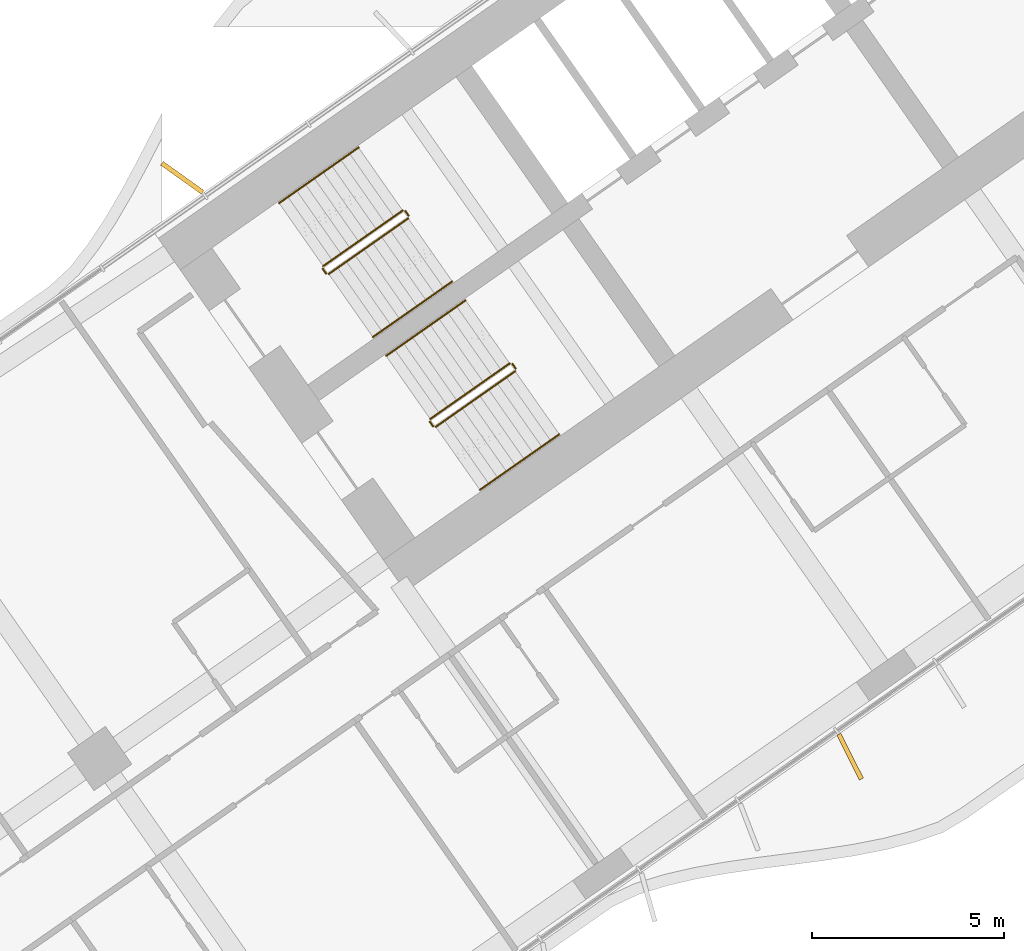
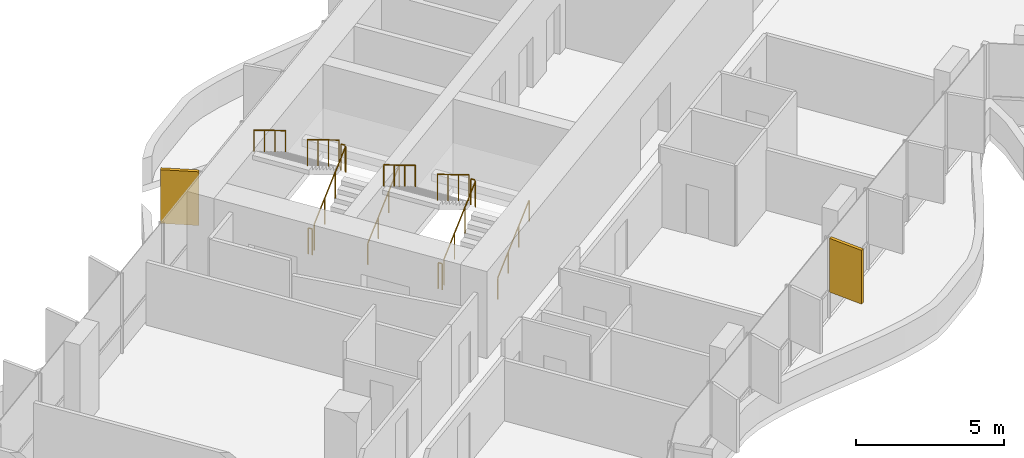
# One storey, part 19 of 23: 12 railings, 2 shading devices.
"""IFC4 building model written with IfcOpenShell, lengths in metres."""

from ifc_helpers import new_model, si_unit, direction, frame, origin, origin_2d, place, context, subcontext, project, spatial, rectangle, circle, extrude, material, layer, layer_set, type_object, element, save


model = new_model("IFC4")

# Units and contexts
model_context = context("Model", 3, precision=1e-05, world=origin(), true_north=direction((0.0, 1.0)))
body_context = subcontext(model_context, "Body", "Model", "MODEL_VIEW")
ifc_project = project(units=[si_unit("LENGTHUNIT", "METRE"), si_unit("AREAUNIT", "SQUARE_METRE"), si_unit("VOLUMEUNIT", "CUBIC_METRE"), si_unit("PLANEANGLEUNIT", "RADIAN"), si_unit("MASSUNIT", "GRAM", prefix="KILO")], contexts=[model_context])

# Site, building, storey
site_placement = place(None, origin())
site = spatial("IfcSite", under=ifc_project, at=site_placement, CompositionType="ELEMENT")
building_placement = place(site_placement, origin())
building = spatial("IfcBuilding", under=site, at=building_placement, Name="Tel Ilan Convention Tower", CompositionType="ELEMENT")
storey_placement = place(building_placement, frame((0.0, 0.0, 86.89990234375)))
storey = spatial("IfcBuildingStorey", under=building, at=storey_placement, Name="L17", CompositionType="ELEMENT", Elevation=86.89990234375)

# Shading devices
ifc_material_1 = material(Name="Aluminium, bronze anodised", Category="aluminium")
ifc_layer = layer(ifc_material_1, 0.1201171875)
ifc_layer_set = layer_set([ifc_layer], Name="FIN BRONZE 1300x120")
shading_device_type = type_object("IfcShadingDeviceType", Name="FIN BRONZE 1300x120", PredefinedType="USERDEFINED", material=ifc_layer_set)
for number, where, z_axis, x_axis, name in (
    (1, (-27.3427734375, -5.555419921875, 1.10009765625), (0.0, 0.0, 1.0), (-0.813552070258, 0.581492071294, 0.0), "FIN"),
    (2, (-9.9833984375, -20.603759765625, 1.10009765625), (0.0, 0.0, 1.0), (0.448799180206, -0.893632640321, 0.0), "FIN"),
):
    element("IfcShadingDevice", number, at=place(storey_placement, frame(where, z_axis=z_axis, x_axis=x_axis)), inside=storey, type_object=shading_device_type, Name=name, ObjectType="FIN", PredefinedType="USERDEFINED", context=body_context, shape_type="SweptSolid", body=[
        extrude(rectangle(XDim=1.300048828125, YDim=0.1201171875, at=origin_2d()), origin(), (0.0, 0.0, 1.0), 2.219970703125),
    ])

# Railings
ifc_material_2 = material(Name="Stainless Steel Grade 316", Category="steel")
railing_type_1 = type_object("IfcRailingType", Name="Stainless Steel Stair Guard 1100 mm", PredefinedType="GUARDRAIL", material=ifc_material_2)
railing_1_placement = place(storey_placement, frame((-23.535400390625, -8.056396484375, 0.18017578125)))
element("IfcRailing", 3, at=railing_1_placement, inside=storey, type_object=railing_type_1, Name="L17 S1 stair guard 1", PredefinedType="GUARDRAIL", context=body_context, shape_type="SweptSolid", body=[
    extrude(circle(Radius=0.02392578125, at=origin_2d()), frame((0.0, 0.0, 1.076171875), z_axis=(0.689043377453, 0.48253410265, 0.540721798865), x_axis=(-0.573624882958, 0.819118119475, 0.0)), (0.0, 0.0, 1.0), 2.995849609375),
    extrude(circle(Radius=0.02099609375, at=origin_2d()), origin(), (0.0, 0.0, 1.0), 1.052001953125),
    extrude(circle(Radius=0.02099609375, at=origin_2d()), frame((0.68798828125, 0.48193359375, 0.5400390625)), (0.0, 0.0, 1.0), 1.052001953125),
    extrude(circle(Radius=0.02099609375, at=origin_2d()), frame((1.376220703125, 0.963623046875, 1.079833984375)), (0.0, 0.0, 1.0), 1.052001953125),
    extrude(circle(Radius=0.02099609375, at=origin_2d()), frame((2.064208984375, 1.445556640625, 1.619873046875)), (0.0, 0.0, 1.0), 1.052001953125),
])
railing_2_placement = place(storey_placement, frame((-21.458984375, -6.541259765625, 1.800048828125)))
element("IfcRailing", 4, at=railing_2_placement, inside=storey, type_object=railing_type_1, Name="L17 S1 stair guard 2", PredefinedType="GUARDRAIL", context=body_context, shape_type="SweptSolid", body=[
    extrude(circle(Radius=0.02392578125, at=origin_2d()), frame((0.0, 0.0, 1.076171875), z_axis=(-0.573353020881, 0.819308436089, 0.0), x_axis=(-0.819308436089, -0.573353020881, 0.0)), (0.0, 0.0, 1.0), 0.14990234375),
    extrude(circle(Radius=0.02099609375, at=origin_2d()), origin(), (0.0, 0.0, 1.0), 1.052001953125),
    extrude(circle(Radius=0.02099609375, at=origin_2d()), frame((-0.0859375, 0.122802734375, 0.0)), (0.0, 0.0, 1.0), 1.052001953125),
])
railing_3_placement = place(storey_placement, frame((-21.614501953125, -6.406005859375, 1.97998046875)))
element("IfcRailing", 5, at=railing_3_placement, inside=storey, type_object=railing_type_1, Name="L17 S1 stair guard 3", PredefinedType="GUARDRAIL", context=body_context, shape_type="SweptSolid", body=[
    extrude(circle(Radius=0.02392578125, at=origin_2d()), frame((0.0, 0.0, 1.076171875), z_axis=(-0.689013013563, -0.482512838948, 0.540779462804), x_axis=(0.573624882958, -0.819118119475, 0.0)), (0.0, 0.0, 1.0), 2.995849609375),
    extrude(circle(Radius=0.02099609375, at=origin_2d()), origin(), (0.0, 0.0, 1.0), 1.052001953125),
    extrude(circle(Radius=0.02099609375, at=origin_2d()), frame((-0.68798828125, -0.48193359375, 0.5400390625)), (0.0, 0.0, 1.0), 1.052001953125),
    extrude(circle(Radius=0.02099609375, at=origin_2d()), frame((-1.376220703125, -0.963623046875, 1.080078125)), (0.0, 0.0, 1.0), 1.052001953125),
    extrude(circle(Radius=0.02099609375, at=origin_2d()), frame((-2.064208984375, -1.445556640625, 1.6201171875)), (0.0, 0.0, 1.0), 1.052001953125),
])
railing_4_placement = place(storey_placement, frame((-23.60498046875, -8.0439453125, 0.0)))
element("IfcRailing", 6, at=railing_4_placement, inside=storey, type_object=railing_type_1, Name="L17 S1 stair guard 4", PredefinedType="GUARDRAIL", context=body_context, shape_type="SweptSolid", body=[
    extrude(circle(Radius=0.02392578125, at=origin_2d()), frame((0.0, 0.0, 1.076171875), z_axis=(-0.574444878118, 0.818543268254, 0.0), x_axis=(-0.818543268254, -0.574444878118, 0.0)), (0.0, 0.0, 1.0), 0.150146484375),
    extrude(circle(Radius=0.02099609375, at=origin_2d()), origin(), (0.0, 0.0, 1.0), 1.052001953125),
    extrude(circle(Radius=0.02099609375, at=origin_2d()), frame((-0.086181640625, 0.122802734375, 0.0)), (0.0, 0.0, 1.0), 1.052001953125),
])
railing_5_placement = place(storey_placement, frame((-20.753662109375, -12.029296875, 0.18017578125)))
element("IfcRailing", 7, at=railing_5_placement, inside=storey, type_object=railing_type_1, Name="L17 S2 stair guard 1", PredefinedType="GUARDRAIL", context=body_context, shape_type="SweptSolid", body=[
    extrude(circle(Radius=0.02392578125, at=origin_2d()), frame((0.0, 0.0, 1.076171875), z_axis=(0.689086176785, 0.482507007183, 0.540691436018), x_axis=(-0.573579365141, 0.81914999352, 0.0)), (0.0, 0.0, 1.0), 2.995849609375),
    extrude(circle(Radius=0.02099609375, at=origin_2d()), origin(), (0.0, 0.0, 1.0), 1.052001953125),
    extrude(circle(Radius=0.02099609375, at=origin_2d()), frame((0.688232421875, 0.48193359375, 0.5400390625)), (0.0, 0.0, 1.0), 1.052001953125),
    extrude(circle(Radius=0.02099609375, at=origin_2d()), frame((1.376220703125, 0.963623046875, 1.079833984375)), (0.0, 0.0, 1.0), 1.052001953125),
    extrude(circle(Radius=0.02099609375, at=origin_2d()), frame((2.064453125, 1.445556640625, 1.619873046875)), (0.0, 0.0, 1.0), 1.052001953125),
])
railing_6_placement = place(storey_placement, frame((-18.677001953125, -10.51416015625, 1.800048828125)))
element("IfcRailing", 8, at=railing_6_placement, inside=storey, type_object=railing_type_1, Name="L17 S2 stair guard 2", PredefinedType="GUARDRAIL", context=body_context, shape_type="SweptSolid", body=[
    extrude(circle(Radius=0.02392578125, at=origin_2d()), frame((0.0, 0.0, 1.076171875), z_axis=(-0.573353020881, 0.819308436089, 0.0), x_axis=(-0.819308436089, -0.573353020881, 0.0)), (0.0, 0.0, 1.0), 0.14990234375),
    extrude(circle(Radius=0.02099609375, at=origin_2d()), origin(), (0.0, 0.0, 1.0), 1.052001953125),
    extrude(circle(Radius=0.02099609375, at=origin_2d()), frame((-0.0859375, 0.122802734375, 0.0)), (0.0, 0.0, 1.0), 1.052001953125),
])
railing_7_placement = place(storey_placement, frame((-18.832763671875, -10.37890625, 1.97998046875)))
element("IfcRailing", 9, at=railing_7_placement, inside=storey, type_object=railing_type_1, Name="L17 S2 stair guard 3", PredefinedType="GUARDRAIL", context=body_context, shape_type="SweptSolid", body=[
    extrude(circle(Radius=0.02392578125, at=origin_2d()), frame((0.0, 0.0, 1.076171875), z_axis=(-0.689013013563, -0.482512838948, 0.540779462804), x_axis=(0.573624882958, -0.819118119475, 0.0)), (0.0, 0.0, 1.0), 2.995849609375),
    extrude(circle(Radius=0.02099609375, at=origin_2d()), origin(), (0.0, 0.0, 1.0), 1.052001953125),
    extrude(circle(Radius=0.02099609375, at=origin_2d()), frame((-0.68798828125, -0.48193359375, 0.5400390625)), (0.0, 0.0, 1.0), 1.052001953125),
    extrude(circle(Radius=0.02099609375, at=origin_2d()), frame((-1.376220703125, -0.963623046875, 1.080078125)), (0.0, 0.0, 1.0), 1.052001953125),
    extrude(circle(Radius=0.02099609375, at=origin_2d()), frame((-2.064208984375, -1.445556640625, 1.6201171875)), (0.0, 0.0, 1.0), 1.052001953125),
])
railing_8_placement = place(storey_placement, frame((-20.8232421875, -12.016845703125, 0.0)))
element("IfcRailing", 10, at=railing_8_placement, inside=storey, type_object=railing_type_1, Name="L17 S2 stair guard 4", PredefinedType="GUARDRAIL", context=body_context, shape_type="SweptSolid", body=[
    extrude(circle(Radius=0.02392578125, at=origin_2d()), frame((0.0, 0.0, 1.076171875), z_axis=(-0.573353020881, 0.819308436089, 0.0), x_axis=(-0.819308436089, -0.573353020881, 0.0)), (0.0, 0.0, 1.0), 0.14990234375),
    extrude(circle(Radius=0.02099609375, at=origin_2d()), origin(), (0.0, 0.0, 1.0), 1.052001953125),
    extrude(circle(Radius=0.02099609375, at=origin_2d()), frame((-0.0859375, 0.122802734375, 0.0)), (0.0, 0.0, 1.0), 1.052001953125),
])
ifc_material_3 = material(Name="Stainless Steel Grade 316", Category="steel")
railing_type_2 = type_object("IfcRailingType", Name="Stainless Steel Stair Handrail 900 mm", PredefinedType="HANDRAIL", material=ifc_material_3)
railing_9_placement = place(storey_placement, frame((-22.38818359375, -9.694580078125, 0.18017578125)))
element("IfcRailing", 11, at=railing_9_placement, inside=storey, type_object=railing_type_2, Name="L17 S1 stair handrail 1", PredefinedType="HANDRAIL", context=body_context, shape_type="SweptSolid", body=[
    extrude(circle(Radius=0.02392578125, at=origin_2d()), frame((0.0, 0.0, 0.8759765625), z_axis=(0.68907047291, 0.482471578903, 0.540743061828), x_axis=(-0.573559875649, 0.819163639968, 0.0)), (0.0, 0.0, 1.0), 2.99560546875),
    extrude(circle(Radius=0.02099609375, at=origin_2d()), origin(), (0.0, 0.0, 1.0), 0.851806640625),
    extrude(circle(Radius=0.02099609375, at=origin_2d()), frame((0.68798828125, 0.481689453125, 0.5400390625)), (0.0, 0.0, 1.0), 0.851806640625),
    extrude(circle(Radius=0.02099609375, at=origin_2d()), frame((1.376220703125, 0.963623046875, 1.079833984375)), (0.0, 0.0, 1.0), 0.851806640625),
    extrude(circle(Radius=0.02099609375, at=origin_2d()), frame((2.064208984375, 1.4453125, 1.619873046875)), (0.0, 0.0, 1.0), 0.851806640625),
])
railing_10_placement = place(storey_placement, frame((-22.76171875, -4.767822265625, 1.97998046875)))
element("IfcRailing", 12, at=railing_10_placement, inside=storey, type_object=railing_type_2, Name="L17 S1 stair handrail 2", PredefinedType="HANDRAIL", context=body_context, shape_type="SweptSolid", body=[
    extrude(circle(Radius=0.02392578125, at=origin_2d()), frame((0.0, 0.0, 0.8759765625), z_axis=(-0.689040105437, -0.482450316285, 0.54080072616), x_axis=(0.573559875649, -0.819163639968, 0.0)), (0.0, 0.0, 1.0), 2.995849609375),
    extrude(circle(Radius=0.02099609375, at=origin_2d()), origin(), (0.0, 0.0, 1.0), 0.851806640625),
    extrude(circle(Radius=0.02099609375, at=origin_2d()), frame((-0.68798828125, -0.481689453125, 0.5400390625)), (0.0, 0.0, 1.0), 0.851806640625),
    extrude(circle(Radius=0.02099609375, at=origin_2d()), frame((-1.376220703125, -0.963623046875, 1.080078125)), (0.0, 0.0, 1.0), 0.851806640625),
    extrude(circle(Radius=0.02099609375, at=origin_2d()), frame((-2.064208984375, -1.4453125, 1.6201171875)), (0.0, 0.0, 1.0), 0.851806640625),
])
railing_11_placement = place(storey_placement, frame((-19.6064453125, -13.66748046875, 0.18017578125)))
element("IfcRailing", 13, at=railing_11_placement, inside=storey, type_object=railing_type_2, Name="L17 S2 stair handrail 1", PredefinedType="HANDRAIL", context=body_context, shape_type="SweptSolid", body=[
    extrude(circle(Radius=0.02392578125, at=origin_2d()), frame((0.0, 0.0, 0.8759765625), z_axis=(0.68907047291, 0.482471578903, 0.540743061828), x_axis=(-0.573559875649, 0.819163639968, 0.0)), (0.0, 0.0, 1.0), 2.99560546875),
    extrude(circle(Radius=0.02099609375, at=origin_2d()), origin(), (0.0, 0.0, 1.0), 0.851806640625),
    extrude(circle(Radius=0.02099609375, at=origin_2d()), frame((0.68798828125, 0.481689453125, 0.5400390625)), (0.0, 0.0, 1.0), 0.851806640625),
    extrude(circle(Radius=0.02099609375, at=origin_2d()), frame((1.376220703125, 0.963623046875, 1.079833984375)), (0.0, 0.0, 1.0), 0.851806640625),
    extrude(circle(Radius=0.02099609375, at=origin_2d()), frame((2.064208984375, 1.4453125, 1.619873046875)), (0.0, 0.0, 1.0), 0.851806640625),
])
railing_12_placement = place(storey_placement, frame((-19.979736328125, -8.74072265625, 1.97998046875)))
element("IfcRailing", 14, at=railing_12_placement, inside=storey, type_object=railing_type_2, Name="L17 S2 stair handrail 2", PredefinedType="HANDRAIL", context=body_context, shape_type="SweptSolid", body=[
    extrude(circle(Radius=0.02392578125, at=origin_2d()), frame((0.0, 0.0, 0.8759765625), z_axis=(-0.689082904933, -0.482423225781, 0.540770359169), x_axis=(0.573514357932, -0.81919550856, 0.0)), (0.0, 0.0, 1.0), 2.995849609375),
    extrude(circle(Radius=0.02099609375, at=origin_2d()), origin(), (0.0, 0.0, 1.0), 0.851806640625),
    extrude(circle(Radius=0.02099609375, at=origin_2d()), frame((-0.688232421875, -0.481689453125, 0.5400390625)), (0.0, 0.0, 1.0), 0.851806640625),
    extrude(circle(Radius=0.02099609375, at=origin_2d()), frame((-1.376220703125, -0.963623046875, 1.080078125)), (0.0, 0.0, 1.0), 0.851806640625),
    extrude(circle(Radius=0.02099609375, at=origin_2d()), frame((-2.064453125, -1.4453125, 1.6201171875)), (0.0, 0.0, 1.0), 0.851806640625),
])

save(model, "model.ifc")
